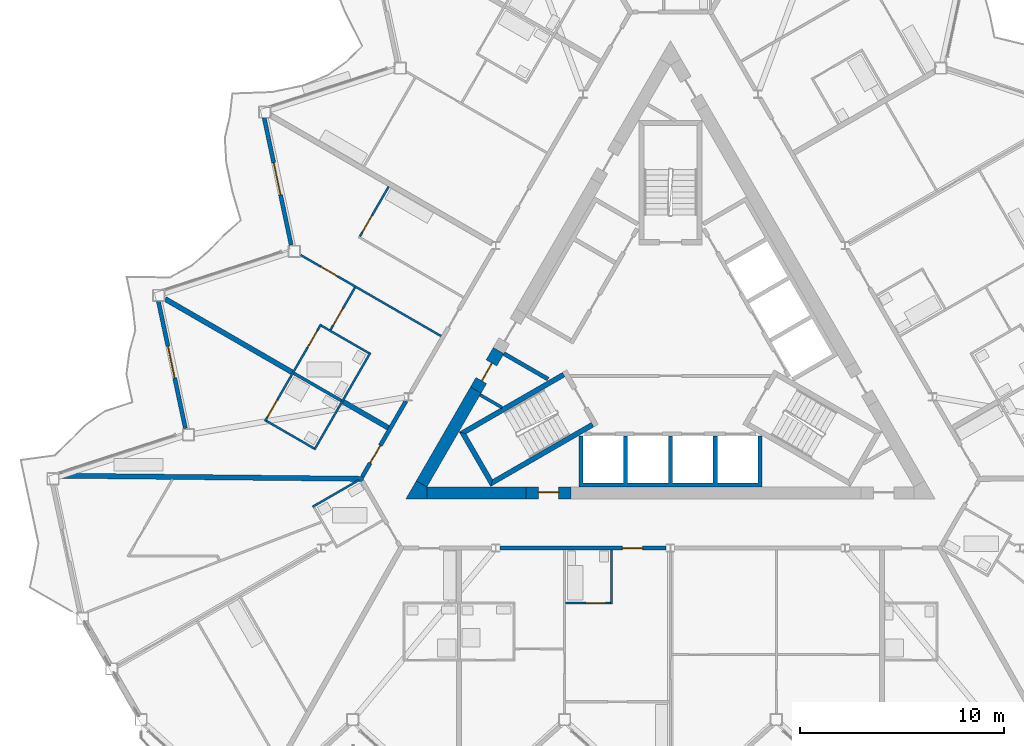
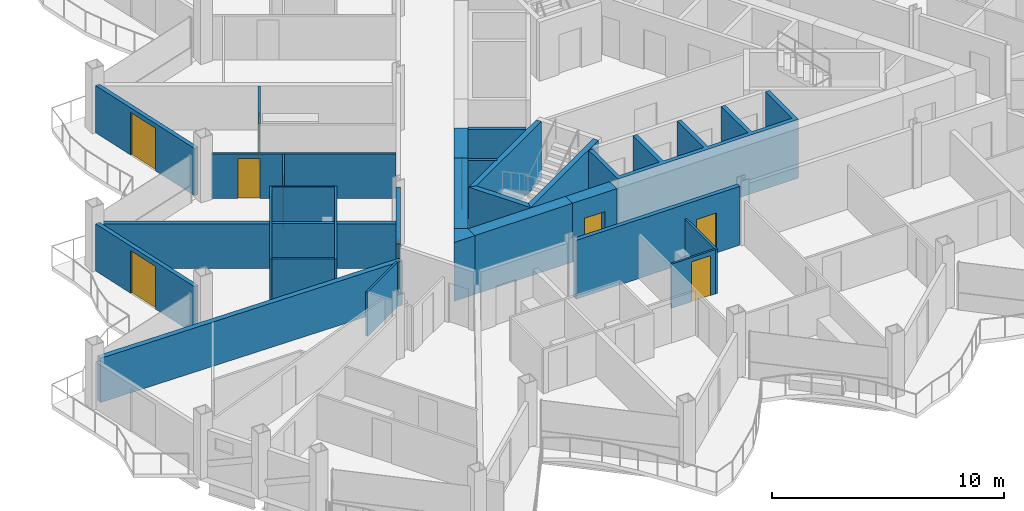
# One storey, part 14 of 27: 29 walls, 12 doors, 12 openings.
"""IFC4 building model written with IfcOpenShell, lengths in metres."""

from ifc_helpers import new_model, si_unit, direction, frame, frame_2d, origin, place, context, subcontext, project, spatial, polyline, rectangle, outline, extrude, material, layer, layer_set, type_object, element, fill, save


model = new_model("IFC4")

# Units and contexts
model_context = context("Model", 3, precision=1e-05, world=origin(), true_north=direction((0.0, 1.0)))
body_context = subcontext(model_context, "Body", "Model", "MODEL_VIEW")
ifc_project = project(units=[si_unit("LENGTHUNIT", "METRE"), si_unit("AREAUNIT", "SQUARE_METRE"), si_unit("VOLUMEUNIT", "CUBIC_METRE"), si_unit("PLANEANGLEUNIT", "RADIAN"), si_unit("MASSUNIT", "GRAM", prefix="KILO")], contexts=[model_context])

# Site, building, storey
site_placement = place(None, origin())
site = spatial("IfcSite", under=ifc_project, at=site_placement, CompositionType="ELEMENT")
building_placement = place(site_placement, origin())
building = spatial("IfcBuilding", under=site, at=building_placement, Name="Cormorant Prow Tower", CompositionType="ELEMENT")
storey_placement = place(building_placement, frame((0.0, 0.0, 332.39990234375)))
storey = spatial("IfcBuildingStorey", under=building, at=storey_placement, Name="L74", CompositionType="ELEMENT", Elevation=332.39990234375)

# Walls
ifc_material_1 = material(Name="Gypsum board partition")
ifc_layer_1 = layer(ifc_material_1, 0.14990234375)
ifc_layer_set_1 = layer_set([ifc_layer_1], Name="Gypsum board partition")
wall_type_1 = type_object("IfcWallType", Name="Core partition 150", PredefinedType="PARTITIONING", material=ifc_layer_set_1)
wall_1_placement = place(storey_placement, frame((-9.349609375, -2.3828125, 0.0), z_axis=(0.0, 0.0, 1.0), x_axis=(0.866057962423, -0.499943602543, 0.0)))
element("IfcWall", 1, at=wall_1_placement, inside=storey, type_object=wall_type_1, Name="Service room partition", PredefinedType="PARTITIONING", context=body_context, shape_type="SweptSolid", body=[
    extrude(rectangle(XDim=1.242431640625, YDim=0.14990234375, at=frame_2d((0.62109375, 0.0))), origin(), (0.0, 0.0, 1.0), 3.10009765625),
])
ifc_material_2 = material(Name="Concrete 8000 psi", Category="concrete")
ifc_layer_2 = layer(ifc_material_2, 0.60009765625)
ifc_layer_set_2 = layer_set([ifc_layer_2], Name="Concrete 8000 psi")
wall_type_2 = type_object("IfcWallType", Name="Core shear wall 600", PredefinedType="SHEAR", material=ifc_layer_set_2)
wall_2_placement = place(storey_placement, frame((-11.960693359375, -7.20556640625, 0.0), z_axis=(0.0, 0.0, 1.0), x_axis=(1.0, 0.0, 0.0)))
element("IfcWall", 2, at=wall_2_placement, inside=storey, type_object=wall_type_2, Name="Core wall", PredefinedType="SHEAR", context=body_context, shape_type="SweptSolid", body=[
    extrude(rectangle(XDim=4.868408203125, YDim=0.60009765625, at=frame_2d((2.43408203125, 0.0))), origin(), (0.0, 0.0, 1.0), 3.10009765625),
])
wall_3_placement = place(storey_placement, frame((-9.561767578125, -2.150390625, 0.0), z_axis=(0.0, 0.0, 1.0), x_axis=(-0.500015214976, -0.866016619236, 0.0)))
element("IfcWall", 3, at=wall_3_placement, inside=storey, type_object=wall_type_2, Name="Core wall", PredefinedType="SHEAR", context=body_context, shape_type="SweptSolid", body=[
    extrude(rectangle(XDim=5.317626953125, YDim=0.60009765625, at=frame_2d((2.65869140625, 0.0))), origin(), (0.0, 0.0, 1.0), 3.10009765625),
])
wall_4_placement = place(storey_placement, origin())
element("IfcWall", 4, at=wall_4_placement, inside=storey, type_object=wall_type_2, Name="Core wall corner", PredefinedType="SHEAR", context=body_context, shape_type="SweptSolid", body=[
    extrude(outline(polyline([(-12.48046875, -6.605712890625), (-11.960693359375, -6.905517578125), (-11.960693359375, -7.505615234375), (-13.0, -7.505615234375), (-12.48046875, -6.605712890625)])), origin(), (0.0, 0.0, 1.0), 3.10009765625),
])

# Wall, opening, door
wall_5_placement = place(storey_placement, frame((-7.09228515625, -7.20556640625, 0.0), z_axis=(0.0, 0.0, 1.0), x_axis=(1.0, 0.0, 0.0)))
wall_5 = element("IfcWall", 5, at=wall_5_placement, inside=storey, type_object=wall_type_2, Name="Core wall door panel", PredefinedType="SHEAR", context=body_context, shape_type="SweptSolid", body=[
    extrude(rectangle(XDim=2.2001953125, YDim=0.60009765625, at=frame_2d((1.10009765625, 0.0))), origin(), (0.0, 0.0, 1.0), 3.10009765625),
])
opening_1_placement = place(wall_5_placement, frame((0.60009765625, 0.0, 0.0)))
opening_1 = element("IfcOpeningElement", 6, at=opening_1_placement, cuts=wall_5, Name="Opening L74-C16", PredefinedType="OPENING", context=body_context, shape_type="SweptSolid", body=[
    extrude(rectangle(XDim=1.0, YDim=2.10009765625, at=frame_2d((0.5, 1.050048828125))), frame((0.0, 0.31005859375, 0.0), z_axis=(0.0, -1.0, 0.0), x_axis=(1.0, 0.0, 0.0)), (0.0, 0.0, 1.0), 0.6201171875),
])
ifc_material_3 = material(Name="Painted steel", Category="steel")
door_type_1 = type_object("IfcDoorType", Name="Service door 1000x2100", OperationType="NOTDEFINED", PredefinedType="DOOR", material=ifc_material_3)
door_1_placement = place(opening_1_placement, origin())
door_1 = element("IfcDoor", 7, at=door_1_placement, inside=storey, type_object=door_type_1, Name="Core door, Pantry store", OperationType="SINGLE_SWING_LEFT", OverallHeight=2.10009765625, OverallWidth=1.0, PredefinedType="DOOR", context=body_context, shape_type="SweptSolid", body=[
    extrude(rectangle(XDim=1.0, YDim=2.10009765625, at=frame_2d((0.5, 1.050048828125))), frame((0.0, 0.05517578125, 0.0), z_axis=(0.0, -1.0, 0.0), x_axis=(1.0, 0.0, 0.0)), (0.0, 0.0, 1.0), 0.050048828125),
])
fill(opening_1, door_1)

wall_6_placement = place(storey_placement, frame((-8.440185546875, -0.207763671875, 0.0), z_axis=(0.0, 0.0, 1.0), x_axis=(-0.500001951578, -0.866024277037, 0.0)))
wall_6 = element("IfcWall", 8, at=wall_6_placement, inside=storey, type_object=wall_type_2, Name="Core wall door panel", PredefinedType="SHEAR", context=body_context, shape_type="SweptSolid", body=[
    extrude(rectangle(XDim=2.2431640625, YDim=0.60009765625, at=frame_2d((1.12158203125, 0.0))), origin(), (0.0, 0.0, 1.0), 3.10009765625),
])
opening_2_placement = place(wall_6_placement, frame((0.699951171875, 0.0, 0.0)))
opening_2 = element("IfcOpeningElement", 9, at=opening_2_placement, cuts=wall_6, Name="Opening L74-C18", PredefinedType="OPENING", context=body_context, shape_type="SweptSolid", body=[
    extrude(rectangle(XDim=1.0, YDim=2.10009765625, at=frame_2d((0.5, 1.050048828125))), frame((0.0, 0.31005859375, 0.0), z_axis=(0.0, -1.0, 0.0), x_axis=(1.0, 0.0, 0.0)), (0.0, 0.0, 1.0), 0.6201171875),
])
door_2_placement = place(opening_2_placement, origin())
door_2 = element("IfcDoor", 10, at=door_2_placement, inside=storey, type_object=door_type_1, Name="Core door, Mechanical riser room", OperationType="SINGLE_SWING_RIGHT", OverallHeight=2.10009765625, OverallWidth=1.0, PredefinedType="DOOR", context=body_context, shape_type="SweptSolid", body=[
    extrude(rectangle(XDim=1.0, YDim=2.10009765625, at=frame_2d((0.5, 1.050048828125))), frame((0.0, 0.05517578125, 0.0), z_axis=(0.0, -1.0, 0.0), x_axis=(1.0, 0.0, 0.0)), (0.0, 0.0, 1.0), 0.050048828125),
])
fill(opening_2, door_2)

ifc_material_4 = material(Name="Gypsum board corridor wall")
ifc_layer_3 = layer(ifc_material_4, 0.199951171875)
ifc_layer_set_3 = layer_set([ifc_layer_3], Name="Gypsum board corridor wall")
wall_type_3 = type_object("IfcWallType", Name="Corridor wall 200", PredefinedType="PARTITIONING", material=ifc_layer_set_3)
wall_7_placement = place(storey_placement, frame((-8.370849609375, -9.905517578125, 0.0), z_axis=(0.0, 0.0, 1.0), x_axis=(1.0, 0.0, 0.0)))
wall_7 = element("IfcWall", 11, at=wall_7_placement, inside=storey, type_object=wall_type_3, Name="Corridor wall", PredefinedType="PARTITIONING", context=body_context, shape_type="SweptSolid", body=[
    extrude(rectangle(XDim=8.1630859375, YDim=0.199951171875, at=frame_2d((4.08154296875, 0.0))), origin(), (0.0, 0.0, 1.0), 3.10009765625),
])
opening_3_placement = place(wall_7_placement, frame((6.00439453125, 0.0, 0.0)))
opening_3 = element("IfcOpeningElement", 12, at=opening_3_placement, cuts=wall_7, Name="Opening L74-F03", PredefinedType="OPENING", context=body_context, shape_type="SweptSolid", body=[
    extrude(rectangle(XDim=1.0, YDim=2.10009765625, at=frame_2d((0.5, 1.050048828125))), frame((0.0, 0.10986328125, 0.0), z_axis=(0.0, -1.0, 0.0), x_axis=(1.0, 0.0, 0.0)), (0.0, 0.0, 1.0), 0.219970703125),
])
ifc_material_5 = material(Name="Timber door leaf", Category="wood")
door_type_2 = type_object("IfcDoorType", Name="Flat or room entrance door 1000x2100", OperationType="NOTDEFINED", PredefinedType="DOOR", material=ifc_material_5)
door_3_placement = place(opening_3_placement, origin())
door_3 = element("IfcDoor", 13, at=door_3_placement, inside=storey, type_object=door_type_2, Name="Living room door", OperationType="SINGLE_SWING_LEFT", OverallHeight=2.10009765625, OverallWidth=1.0, PredefinedType="DOOR", context=body_context, shape_type="SweptSolid", body=[
    extrude(rectangle(XDim=1.0, YDim=2.10009765625, at=frame_2d((0.5, 1.050048828125))), frame((0.0, 0.02490234375, 0.0), z_axis=(0.0, -1.0, 0.0), x_axis=(1.0, 0.0, 0.0)), (0.0, 0.0, 1.0), 0.050048828125),
])
fill(opening_3, door_3)

wall_8_placement = place(storey_placement, frame((-15.13134765625, -6.397216796875, 0.0), z_axis=(0.0, 0.0, 1.0), x_axis=(0.500003406062, 0.866023437285, 0.0)))
wall_8 = element("IfcWall", 14, at=wall_8_placement, inside=storey, type_object=wall_type_3, Name="Corridor wall", PredefinedType="PARTITIONING", context=body_context, shape_type="SweptSolid", body=[
    extrude(rectangle(XDim=4.28759765625, YDim=0.199951171875, at=frame_2d((2.143798828125, 0.0))), origin(), (0.0, 0.0, 1.0), 3.10009765625),
])
opening_4_placement = place(wall_8_placement, frame((0.76611328125, 0.0, 0.0)))
opening_4 = element("IfcOpeningElement", 15, at=opening_4_placement, cuts=wall_8, Name="Opening L74-F56", PredefinedType="OPENING", context=body_context, shape_type="SweptSolid", body=[
    extrude(rectangle(XDim=1.0, YDim=2.10009765625, at=frame_2d((0.5, 1.050048828125))), frame((0.0, 0.10986328125, 0.0), z_axis=(0.0, -1.0, 0.0), x_axis=(1.0, 0.0, 0.0)), (0.0, 0.0, 1.0), 0.219970703125),
])
door_4_placement = place(opening_4_placement, origin())
door_4 = element("IfcDoor", 16, at=door_4_placement, inside=storey, type_object=door_type_2, Name="Studio living, kitchen and sleeping room door", OperationType="SINGLE_SWING_RIGHT", OverallHeight=2.10009765625, OverallWidth=1.0, PredefinedType="DOOR", context=body_context, shape_type="SweptSolid", body=[
    extrude(rectangle(XDim=1.0, YDim=2.10009765625, at=frame_2d((0.5, 1.050048828125))), frame((0.0, 0.02490234375, 0.0), z_axis=(0.0, -1.0, 0.0), x_axis=(1.0, 0.0, 0.0)), (0.0, 0.0, 1.0), 0.050048828125),
])
fill(opening_4, door_4)

ifc_material_6 = material(Name="Gypsum board partition")
ifc_layer_4 = layer(ifc_material_6, 0.10009765625)
ifc_layer_set_4 = layer_set([ifc_layer_4], Name="Gypsum board partition")
wall_type_4 = type_object("IfcWallType", Name="Internal partition 100", PredefinedType="PARTITIONING", material=ifc_layer_set_4)
wall_9_placement = place(storey_placement, frame((-18.160888671875, 4.485107421875, 0.0), z_axis=(0.0, 0.0, 1.0), x_axis=(0.866023773276, -0.500002824113, 0.0)))
wall_9 = element("IfcWall", 17, at=wall_9_placement, inside=storey, type_object=wall_type_4, Name="Internal partition", PredefinedType="PARTITIONING", context=body_context, shape_type="SweptSolid", body=[
    extrude(rectangle(XDim=7.96484375, YDim=0.10009765625, at=frame_2d((3.982421875, 0.0))), origin(), (0.0, 0.0, 1.0), 2.330078125),
])
opening_5_placement = place(wall_9_placement, frame((1.152099609375, 0.0, 0.0)))
opening_5 = element("IfcOpeningElement", 18, at=opening_5_placement, cuts=wall_9, Name="Opening L74-F53", PredefinedType="OPENING", context=body_context, shape_type="SweptSolid", body=[
    extrude(rectangle(XDim=0.949951171875, YDim=2.10009765625, at=frame_2d((0.47509765625, 1.050048828125))), frame((0.0, 0.06005859375, 0.0), z_axis=(0.0, -1.0, 0.0), x_axis=(1.0, 0.0, 0.0)), (0.0, 0.0, 1.0), 0.1201171875),
])
ifc_material_7 = material(Name="Timber door leaf", Category="wood")
door_type_3 = type_object("IfcDoorType", Name="Bathroom door 950x2100", OperationType="NOTDEFINED", PredefinedType="DOOR", material=ifc_material_7)
door_5_placement = place(opening_5_placement, origin())
door_5 = element("IfcDoor", 19, at=door_5_placement, inside=storey, type_object=door_type_3, Name="Living room door", OperationType="SINGLE_SWING_RIGHT", OverallHeight=2.10009765625, OverallWidth=0.949951171875, PredefinedType="DOOR", context=body_context, shape_type="SweptSolid", body=[
    extrude(rectangle(XDim=0.949951171875, YDim=2.10009765625, at=frame_2d((0.47509765625, 1.050048828125))), frame((0.0, 0.02490234375, 0.0), z_axis=(0.0, -1.0, 0.0), x_axis=(1.0, 0.0, 0.0)), (0.0, 0.0, 1.0), 0.050048828125),
])
fill(opening_5, door_5)

# Wall
wall_10_placement = place(storey_placement, frame((-17.488037109375, -5.0791015625, 0.0), z_axis=(0.0, 0.0, 1.0), x_axis=(0.499996545922, 0.866027397988, 0.0)))
element("IfcWall", 20, at=wall_10_placement, inside=storey, type_object=wall_type_4, Name="Internal partition", PredefinedType="PARTITIONING", context=body_context, shape_type="SweptSolid", body=[
    extrude(rectangle(XDim=5.5, YDim=0.10009765625, at=frame_2d((2.75, 0.0))), origin(), (0.0, 0.0, 1.0), 2.330078125),
])

# Wall, openings, doors
wall_11_placement = place(storey_placement, frame((-19.912841796875, -3.678955078125, 0.0), z_axis=(0.0, 0.0, 1.0), x_axis=(0.500015767406, 0.866016300277, 0.0)))
wall_11 = element("IfcWall", 21, at=wall_11_placement, inside=storey, type_object=wall_type_4, Name="Internal partition", PredefinedType="PARTITIONING", context=body_context, shape_type="SweptSolid", body=[
    extrude(rectangle(XDim=5.499755859375, YDim=0.10009765625, at=frame_2d((2.75, 0.0))), origin(), (0.0, 0.0, 1.0), 2.330078125),
])
opening_6_placement = place(wall_11_placement, frame((4.19873046875, 0.0, 0.0)))
opening_6 = element("IfcOpeningElement", 22, at=opening_6_placement, cuts=wall_11, Name="Opening L74-F55", PredefinedType="OPENING", context=body_context, shape_type="SweptSolid", body=[
    extrude(rectangle(XDim=0.949951171875, YDim=2.10009765625, at=frame_2d((0.47509765625, 1.050048828125))), frame((0.0, 0.06005859375, 0.0), z_axis=(0.0, -1.0, 0.0), x_axis=(1.0, 0.0, 0.0)), (0.0, 0.0, 1.0), 0.1201171875),
])
opening_7_placement = place(wall_11_placement, frame((0.25, 0.0, 0.0)))
opening_7 = element("IfcOpeningElement", 23, at=opening_7_placement, cuts=wall_11, Name="Opening L74-F57", PredefinedType="OPENING", context=body_context, shape_type="SweptSolid", body=[
    extrude(rectangle(XDim=0.949951171875, YDim=2.10009765625, at=frame_2d((0.47509765625, 1.050048828125))), frame((0.0, 0.06005859375, 0.0), z_axis=(0.0, -1.0, 0.0), x_axis=(1.0, 0.0, 0.0)), (0.0, 0.0, 1.0), 0.1201171875),
])
door_6_placement = place(opening_6_placement, origin())
door_6 = element("IfcDoor", 24, at=door_6_placement, inside=storey, type_object=door_type_3, Name="Bedroom door", OperationType="SINGLE_SWING_RIGHT", OverallHeight=2.10009765625, OverallWidth=0.949951171875, PredefinedType="DOOR", context=body_context, shape_type="SweptSolid", body=[
    extrude(rectangle(XDim=0.949951171875, YDim=2.10009765625, at=frame_2d((0.47509765625, 1.050048828125))), frame((0.0, 0.02490234375, 0.0), z_axis=(0.0, -1.0, 0.0), x_axis=(1.0, 0.0, 0.0)), (0.0, 0.0, 1.0), 0.050048828125),
])
fill(opening_6, door_6)
door_7_placement = place(opening_7_placement, origin())
door_7 = element("IfcDoor", 25, at=door_7_placement, inside=storey, type_object=door_type_3, Name="Studio living, kitchen and sleeping room door", OperationType="SINGLE_SWING_LEFT", OverallHeight=2.10009765625, OverallWidth=0.949951171875, PredefinedType="DOOR", context=body_context, shape_type="SweptSolid", body=[
    extrude(rectangle(XDim=0.949951171875, YDim=2.10009765625, at=frame_2d((0.47509765625, 1.050048828125))), frame((0.0, 0.02490234375, 0.0), z_axis=(0.0, -1.0, 0.0), x_axis=(1.0, 0.0, 0.0)), (0.0, 0.0, 1.0), 0.050048828125),
])
fill(opening_7, door_7)

# Wall, opening, door
wall_12_placement = place(storey_placement, frame((-15.24951171875, 5.39794921875, 0.0), z_axis=(0.0, 0.0, 1.0), x_axis=(0.499959355765, 0.866048868473, 0.0)))
wall_12 = element("IfcWall", 26, at=wall_12_placement, inside=storey, type_object=wall_type_4, Name="Internal partition", PredefinedType="PARTITIONING", context=body_context, shape_type="SweptSolid", body=[
    extrude(rectangle(XDim=2.824951171875, YDim=0.10009765625, at=frame_2d((1.41259765625, 0.0))), origin(), (0.0, 0.0, 1.0), 2.330078125),
])
opening_8_placement = place(wall_12_placement, frame((0.25, 0.0, 0.0)))
opening_8 = element("IfcOpeningElement", 27, at=opening_8_placement, cuts=wall_12, Name="Opening L74-F52", PredefinedType="OPENING", context=body_context, shape_type="SweptSolid", body=[
    extrude(rectangle(XDim=0.949951171875, YDim=2.10009765625, at=frame_2d((0.47509765625, 1.050048828125))), frame((0.0, 0.06005859375, 0.0), z_axis=(0.0, -1.0, 0.0), x_axis=(1.0, 0.0, 0.0)), (0.0, 0.0, 1.0), 0.1201171875),
])
door_8_placement = place(opening_8_placement, origin())
door_8 = element("IfcDoor", 28, at=door_8_placement, inside=storey, type_object=door_type_3, Name="Living room door", OperationType="SINGLE_SWING_LEFT", OverallHeight=2.10009765625, OverallWidth=0.949951171875, PredefinedType="DOOR", context=body_context, shape_type="SweptSolid", body=[
    extrude(rectangle(XDim=0.949951171875, YDim=2.10009765625, at=frame_2d((0.47509765625, 1.050048828125))), frame((0.0, 0.02490234375, 0.0), z_axis=(0.0, -1.0, 0.0), x_axis=(1.0, 0.0, 0.0)), (0.0, 0.0, 1.0), 0.050048828125),
])
fill(opening_8, door_8)

# Walls
for number, where, z_axis, x_axis, name in (
    (29, (-19.844482421875, -3.66064453125, 0.0), (0.0, 0.0, 1.0), (0.86599734893, -0.500048589285, 0.0), "Internal partition"),
    (30, (-17.14453125, 1.015869140625, 0.0), (0.0, 0.0, 1.0), (0.86599734893, -0.500048589285, 0.0), "Internal partition"),
):
    element("IfcWall", number, at=place(storey_placement, frame(where, z_axis=z_axis, x_axis=x_axis)), inside=storey, type_object=wall_type_4, Name=name, PredefinedType="PARTITIONING", context=body_context, shape_type="SweptSolid", body=[
        extrude(rectangle(XDim=2.699951171875, YDim=0.10009765625, at=frame_2d((1.35009765625, 0.0))), origin(), (0.0, 0.0, 1.0), 2.330078125),
    ])
wall_13_placement = place(storey_placement, frame((-2.896240234375, -12.655517578125, 0.0), z_axis=(0.0, 0.0, 1.0), x_axis=(0.0, 1.0, 0.0)))
element("IfcWall", 31, at=wall_13_placement, inside=storey, type_object=wall_type_4, Name="Internal partition", PredefinedType="PARTITIONING", context=body_context, shape_type="SweptSolid", body=[
    extrude(rectangle(XDim=2.64990234375, YDim=0.10009765625, at=frame_2d((1.324951171875, 0.0))), origin(), (0.0, 0.0, 1.0), 2.330078125),
])
wall_14_placement = place(storey_placement, frame((-17.575439453125, -7.880615234375, 0.0), z_axis=(0.0, 0.0, 1.0), x_axis=(0.866036909293, 0.499980071345, 0.0)))
element("IfcWall", 32, at=wall_14_placement, inside=storey, type_object=wall_type_4, Name="Internal partition", PredefinedType="PARTITIONING", context=body_context, shape_type="SweptSolid", body=[
    extrude(rectangle(XDim=2.625, YDim=0.10009765625, at=frame_2d((1.3125, 0.0))), origin(), (0.0, 0.0, 1.0), 2.330078125),
])

# Wall, opening, door
wall_15_placement = place(storey_placement, frame((-16.69091796875, 0.811767578125, 0.0), z_axis=(0.0, 0.0, 1.0), x_axis=(0.499963527173, 0.866046460357, 0.0)))
wall_15 = element("IfcWall", 33, at=wall_15_placement, inside=storey, type_object=wall_type_4, Name="Internal partition", PredefinedType="PARTITIONING", context=body_context, shape_type="SweptSolid", body=[
    extrude(rectangle(XDim=2.396240234375, YDim=0.10009765625, at=frame_2d((1.1982421875, 0.0))), origin(), (0.0, 0.0, 1.0), 2.330078125),
])
opening_9_placement = place(wall_15_placement, frame((0.25, 0.0, 0.0)))
opening_9 = element("IfcOpeningElement", 34, at=opening_9_placement, cuts=wall_15, Name="Opening L74-F54", PredefinedType="OPENING", context=body_context, shape_type="SweptSolid", body=[
    extrude(rectangle(XDim=0.949951171875, YDim=2.10009765625, at=frame_2d((0.47509765625, 1.050048828125))), frame((0.0, 0.06005859375, 0.0), z_axis=(0.0, -1.0, 0.0), x_axis=(1.0, 0.0, 0.0)), (0.0, 0.0, 1.0), 0.1201171875),
])
door_9_placement = place(opening_9_placement, origin())
door_9 = element("IfcDoor", 35, at=door_9_placement, inside=storey, type_object=door_type_3, Name="Bedroom door", OperationType="SINGLE_SWING_LEFT", OverallHeight=2.10009765625, OverallWidth=0.949951171875, PredefinedType="DOOR", context=body_context, shape_type="SweptSolid", body=[
    extrude(rectangle(XDim=0.949951171875, YDim=2.10009765625, at=frame_2d((0.47509765625, 1.050048828125))), frame((0.0, 0.02490234375, 0.0), z_axis=(0.0, -1.0, 0.0), x_axis=(1.0, 0.0, 0.0)), (0.0, 0.0, 1.0), 0.050048828125),
])
fill(opening_9, door_9)

wall_16_placement = place(storey_placement, frame((-5.146240234375, -12.605712890625, 0.0), z_axis=(0.0, 0.0, 1.0), x_axis=(1.0, 0.0, 0.0)))
wall_16 = element("IfcWall", 36, at=wall_16_placement, inside=storey, type_object=wall_type_4, Name="Internal partition", PredefinedType="PARTITIONING", context=body_context, shape_type="SweptSolid", body=[
    extrude(rectangle(XDim=2.199951171875, YDim=0.10009765625, at=frame_2d((1.10009765625, 0.0))), origin(), (0.0, 0.0, 1.0), 2.330078125),
])
opening_10_placement = place(wall_16_placement, frame((1.0, 0.0, 0.0)))
opening_10 = element("IfcOpeningElement", 37, at=opening_10_placement, cuts=wall_16, Name="Opening L74-F04", PredefinedType="OPENING", context=body_context, shape_type="SweptSolid", body=[
    extrude(rectangle(XDim=0.949951171875, YDim=2.10009765625, at=frame_2d((0.47509765625, 1.050048828125))), frame((0.0, 0.06005859375, 0.0), z_axis=(0.0, -1.0, 0.0), x_axis=(1.0, 0.0, 0.0)), (0.0, 0.0, 1.0), 0.1201171875),
])
door_10_placement = place(opening_10_placement, origin())
door_10 = element("IfcDoor", 38, at=door_10_placement, inside=storey, type_object=door_type_3, Name="Living room door", OperationType="SINGLE_SWING_RIGHT", OverallHeight=2.10009765625, OverallWidth=0.949951171875, PredefinedType="DOOR", context=body_context, shape_type="SweptSolid", body=[
    extrude(rectangle(XDim=0.949951171875, YDim=2.10009765625, at=frame_2d((0.47509765625, 1.050048828125))), frame((0.0, 0.02490234375, 0.0), z_axis=(0.0, -1.0, 0.0), x_axis=(1.0, 0.0, 0.0)), (0.0, 0.0, 1.0), 0.050048828125),
])
fill(opening_10, door_10)

# Walls
ifc_material_8 = material(Name="Concrete 8000 psi", Category="concrete")
ifc_layer_5 = layer(ifc_material_8, 0.199951171875)
ifc_layer_set_5 = layer_set([ifc_layer_5], Name="Concrete 8000 psi")
wall_type_5 = type_object("IfcWallType", Name="Lift shaft wall 200", PredefinedType="SHEAR", material=ifc_layer_set_5)
wall_17_placement = place(storey_placement, origin())
element("IfcWall", 39, at=wall_17_placement, inside=storey, type_object=wall_type_5, Name="Lift shaft walls, S block", PredefinedType="SHEAR", context=body_context, shape_type="SweptSolid", body=[
    extrude(outline(polyline([(4.5, -4.39990234375), (4.5, -6.906005859375), (-4.5, -6.906005859375), (-4.5, -4.39990234375), (-4.300048828125, -4.39990234375), (-4.300048828125, -6.699951171875), (-2.300048828125, -6.699951171875), (-2.300048828125, -4.39990234375), (-2.10009765625, -4.39990234375), (-2.10009765625, -6.699951171875), (-0.10009765625, -6.699951171875), (-0.10009765625, -4.39990234375), (0.10009765625, -4.39990234375), (0.10009765625, -6.699951171875), (2.10009765625, -6.699951171875), (2.10009765625, -4.39990234375), (2.300048828125, -4.39990234375), (2.300048828125, -6.699951171875), (4.300048828125, -6.699951171875), (4.300048828125, -4.39990234375), (4.5, -4.39990234375)])), origin(), (0.0, 0.0, 1.0), 3.10009765625),
])
wall_18_placement = place(storey_placement, origin())
element("IfcWall", 40, at=wall_18_placement, inside=storey, type_object=wall_type_5, Name="Lift shaft walls, WNW block", PredefinedType="SHEAR", context=body_context, shape_type="SweptSolid", body=[
    extrude(outline(polyline([(-6.060546875, -1.697021484375), (-8.230712890625, -0.444091796875), (-8.130859375, -0.27099609375), (-5.96044921875, -1.52392578125), (-6.060546875, -1.697021484375)])), origin(), (0.0, 0.0, 1.0), 3.10009765625),
])
ifc_material_9 = material(Name="Concrete 8000 psi", Category="concrete")
ifc_layer_6 = layer(ifc_material_9, 0.25)
ifc_layer_set_6 = layer_set([ifc_layer_6], Name="Concrete 8000 psi")
wall_type_6 = type_object("IfcWallType", Name="Stair wall 250", PredefinedType="SHEAR", material=ifc_layer_set_6)
wall_19_placement = place(storey_placement, origin())
element("IfcWall", 41, at=wall_19_placement, inside=storey, type_object=wall_type_6, Name="Stair ST1 enclosure wall (flank)", PredefinedType="SHEAR", context=body_context, shape_type="SweptSolid", body=[
    extrude(outline(polyline([(-5.30712890625, -1.28125), (-10.37353515625, -4.206298828125), (-10.031982421875, -4.2978515625), (-5.18212890625, -1.497802734375), (-5.30712890625, -1.28125)])), origin(), (0.0, 0.0, 1.0), 3.10009765625),
])
wall_20_placement = place(storey_placement, origin())
element("IfcWall", 42, at=wall_20_placement, inside=storey, type_object=wall_type_6, Name="Stair ST1 enclosure wall (end)", PredefinedType="SHEAR", context=body_context, shape_type="SweptSolid", body=[
    extrude(outline(polyline([(-10.37353515625, -4.206298828125), (-8.82958984375, -6.880615234375), (-8.738037109375, -6.5390625), (-10.031982421875, -4.2978515625), (-10.37353515625, -4.206298828125)])), origin(), (0.0, 0.0, 1.0), 3.10009765625),
])
wall_21_placement = place(storey_placement, origin())
element("IfcWall", 43, at=wall_21_placement, inside=storey, type_object=wall_type_6, Name="Stair ST1 enclosure wall (flank)", PredefinedType="SHEAR", context=body_context, shape_type="SweptSolid", body=[
    extrude(outline(polyline([(-8.738037109375, -6.5390625), (-8.82958984375, -6.880615234375), (-3.76318359375, -3.95556640625), (-3.88818359375, -3.739013671875), (-8.738037109375, -6.5390625)])), origin(), (0.0, 0.0, 1.0), 3.10009765625),
])
ifc_material_10 = material(Name="Acoustic gypsum party wall")
ifc_layer_7 = layer(ifc_material_10, 0.25)
ifc_layer_set_7 = layer_set([ifc_layer_7], Name="Acoustic gypsum party wall")
wall_type_7 = type_object("IfcWallType", Name="Suite party wall 250", PredefinedType="PARTITIONING", material=ifc_layer_set_7)
wall_22_placement = place(storey_placement, frame((-30.013671875, -6.352783203125, 0.0), z_axis=(0.0, 0.0, 1.0), x_axis=(0.999946875776, -0.010307551845, 0.0)))
element("IfcWall", 44, at=wall_22_placement, inside=storey, type_object=wall_type_7, Name="Suite party wall", PredefinedType="PARTITIONING", context=body_context, shape_type="SweptSolid", body=[
    extrude(rectangle(XDim=14.945556640625, YDim=0.25, at=frame_2d((7.47265625, 0.0))), origin(), (0.0, 0.0, 1.0), 2.330078125),
])
wall_23_placement = place(storey_placement, frame((-24.814697265625, 2.326416015625, 0.0), z_axis=(0.0, 0.0, 1.0), x_axis=(0.866024038922, -0.500002364004, 0.0)))
element("IfcWall", 45, at=wall_23_placement, inside=storey, type_object=wall_type_7, Name="Suite party wall", PredefinedType="PARTITIONING", context=body_context, shape_type="SweptSolid", body=[
    extrude(rectangle(XDim=7.19775390625, YDim=0.25, at=frame_2d((3.598876953125, 0.0))), origin(), (0.0, 0.0, 1.0), 2.330078125),
])
wall_24_placement = place(storey_placement, frame((-16.069580078125, -2.722412109375, 0.0), z_axis=(0.0, 0.0, 1.0), x_axis=(0.866030925526, -0.499990435942, 0.0)))
element("IfcWall", 46, at=wall_24_placement, inside=storey, type_object=wall_type_7, Name="Suite party wall", PredefinedType="PARTITIONING", context=body_context, shape_type="SweptSolid", body=[
    extrude(rectangle(XDim=2.5498046875, YDim=0.25, at=frame_2d((1.27490234375, 0.0))), origin(), (0.0, 0.0, 1.0), 2.330078125),
])

# Wall, opening, door
ifc_material_11 = material(Name="Terracotta", Category="masonry")
ifc_layer_8 = layer(ifc_material_11, 0.199951171875)
ifc_layer_set_8 = layer_set([ifc_layer_8], Name="Terracotta")
wall_type_8 = type_object("IfcWallType", Name="Terracotta jamb wall 200", PredefinedType="SOLIDWALL", material=ifc_layer_set_8)
wall_25_placement = place(storey_placement, frame((-19.95263671875, 11.224609375, 0.0), z_axis=(0.0, 0.0, 1.0), x_axis=(0.207915447, -0.978146802325, 0.0)))
wall_25 = element("IfcWall", 47, at=wall_25_placement, inside=storey, type_object=wall_type_8, Name="Terracotta jamb wall WNW05", PredefinedType="SOLIDWALL", context=body_context, shape_type="SweptSolid", body=[
    extrude(rectangle(XDim=6.38671875, YDim=0.199951171875, at=frame_2d((3.193359375, 0.0))), origin(), (0.0, 0.0, 1.0), 2.488037109375),
])
opening_11_placement = place(wall_25_placement, frame((2.26220703125, 0.0, 0.0)))
opening_11 = element("IfcOpeningElement", 48, at=opening_11_placement, cuts=wall_25, Name="Opening ED74.13", PredefinedType="OPENING", context=body_context, shape_type="SweptSolid", body=[
    extrude(rectangle(XDim=1.60009765625, YDim=2.25, at=frame_2d((0.800048828125, 1.125))), frame((0.0, 0.10986328125, 0.0), z_axis=(0.0, -1.0, 0.0), x_axis=(1.0, 0.0, 0.0)), (0.0, 0.0, 1.0), 0.219970703125),
])
ifc_material_12 = material(Name="Aluminium 6063-T6", Category="aluminium")
door_type_4 = type_object("IfcDoorType", Name="Balcony door 1600x2250", OperationType="DOUBLE_DOOR_SINGLE_SWING", PredefinedType="DOOR", material=ifc_material_12)
door_11_placement = place(opening_11_placement, origin())
door_11 = element("IfcDoor", 49, at=door_11_placement, inside=storey, type_object=door_type_4, Name="Balcony door WNW05 ED74.13", OperationType="DOUBLE_DOOR_SINGLE_SWING", OverallHeight=2.25, OverallWidth=1.60009765625, PredefinedType="DOOR", context=body_context, shape_type="SweptSolid", body=[
    extrude(rectangle(XDim=1.60009765625, YDim=2.25, at=frame_2d((0.800048828125, 1.125))), frame((0.0, 0.02490234375, 0.0), z_axis=(0.0, -1.0, 0.0), x_axis=(1.0, 0.0, 0.0)), (0.0, 0.0, 1.0), 0.050048828125),
])
fill(opening_11, door_11)

wall_26_placement = place(storey_placement, frame((-25.14892578125, 2.224365234375, 0.0), z_axis=(0.0, 0.0, 1.0), x_axis=(0.207906266269, -0.978148753742, 0.0)))
wall_26 = element("IfcWall", 50, at=wall_26_placement, inside=storey, type_object=wall_type_8, Name="Terracotta jamb wall WNW07", PredefinedType="SOLIDWALL", context=body_context, shape_type="SweptSolid", body=[
    extrude(rectangle(XDim=6.3916015625, YDim=0.199951171875, at=frame_2d((3.19580078125, 0.0))), origin(), (0.0, 0.0, 1.0), 2.488037109375),
])
opening_12_placement = place(wall_26_placement, frame((2.26220703125, 0.0, 0.0)))
opening_12 = element("IfcOpeningElement", 51, at=opening_12_placement, cuts=wall_26, Name="Opening ED74.14", PredefinedType="OPENING", context=body_context, shape_type="SweptSolid", body=[
    extrude(rectangle(XDim=1.60009765625, YDim=2.25, at=frame_2d((0.800048828125, 1.125))), frame((0.0, 0.10986328125, 0.0), z_axis=(0.0, -1.0, 0.0), x_axis=(1.0, 0.0, 0.0)), (0.0, 0.0, 1.0), 0.219970703125),
])
door_12_placement = place(opening_12_placement, origin())
door_12 = element("IfcDoor", 52, at=door_12_placement, inside=storey, type_object=door_type_4, Name="Balcony door WNW07 ED74.14", OperationType="DOUBLE_DOOR_SINGLE_SWING", OverallHeight=2.25, OverallWidth=1.60009765625, PredefinedType="DOOR", context=body_context, shape_type="SweptSolid", body=[
    extrude(rectangle(XDim=1.60009765625, YDim=2.25, at=frame_2d((0.800048828125, 1.125))), frame((0.0, 0.02490234375, 0.0), z_axis=(0.0, -1.0, 0.0), x_axis=(1.0, 0.0, 0.0)), (0.0, 0.0, 1.0), 0.050048828125),
])
fill(opening_12, door_12)

# Wall
ifc_material_13 = material(Name="Plasterboard wet wall with pipe chase")
ifc_layer_9 = layer(ifc_material_13, 0.14990234375)
ifc_layer_set_9 = layer_set([ifc_layer_9], Name="Plasterboard wet wall with pipe chase")
wall_type_9 = type_object("IfcWallType", Name="Wet wall 150", PredefinedType="PLUMBINGWALL", material=ifc_layer_set_9)
wall_27_placement = place(storey_placement, frame((-18.49462890625, -1.322509765625, 0.0), z_axis=(0.0, 0.0, 1.0), x_axis=(0.866059108428, -0.4999416173, 0.0)))
element("IfcWall", 53, at=wall_27_placement, inside=storey, type_object=wall_type_9, Name="Wet wall", PredefinedType="PLUMBINGWALL", context=body_context, shape_type="SweptSolid", body=[
    extrude(rectangle(XDim=2.699951171875, YDim=0.14990234375, at=frame_2d((1.35009765625, 0.0))), origin(), (0.0, 0.0, 1.0), 2.330078125),
])

save(model, "model.ifc")
